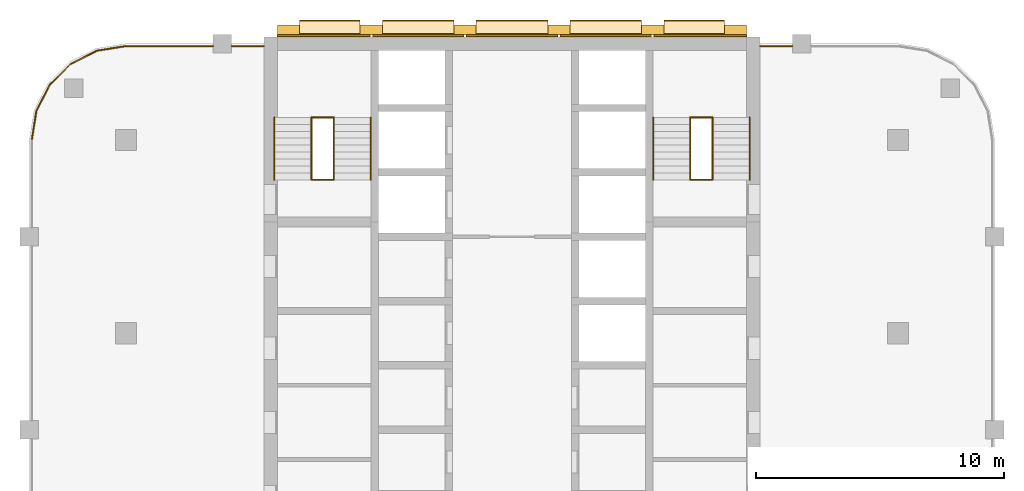
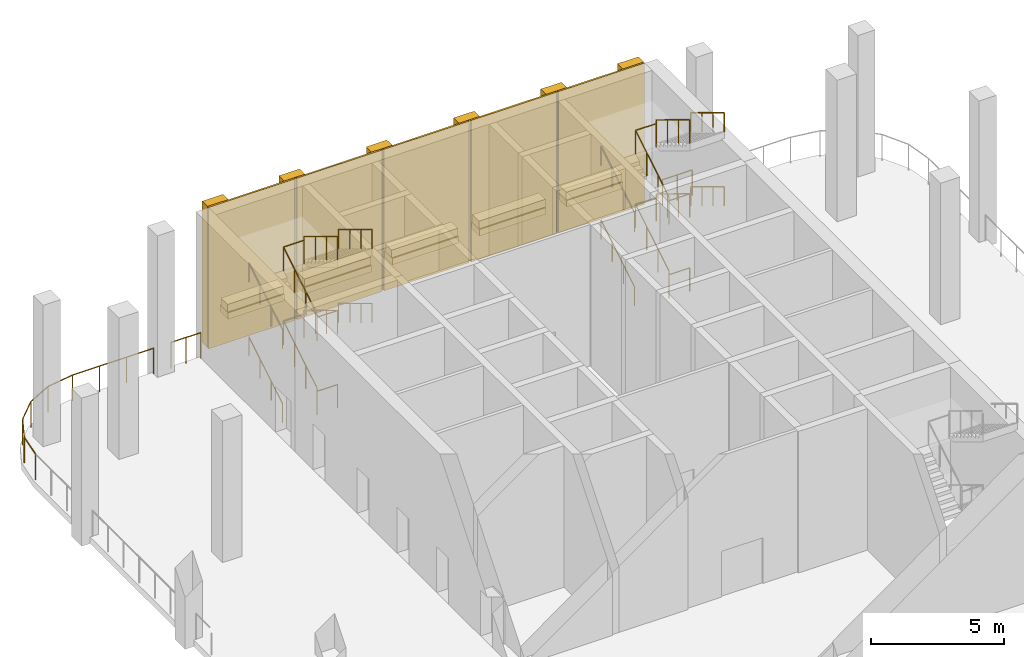
# One storey, part 9 of 10: 28 railings, 21 coverings, 2 elements without a shape of their own.
"""IFC4 building model written with IfcOpenShell, lengths in metres."""

import ifcopenshell
import ifcopenshell.guid

model = None  # the IFC model being written
_history = None  # IfcOwnerHistory: only IFC2X3 demands one
_inside = {}  # id of a spatial element -> (the spatial element, [elements in it])
_under = {}  # id of a project, library or spatial element -> (it, [spatial elements below it])
_declared = {}  # id of a project -> (the project, [libraries it declares])
_typed = {}  # id of a type object -> (the type object, [elements of that type])
_made_of = {}  # id of a material, layer set ... -> (it, [elements and type objects made of it])


def new_model(schema):
    """Start an empty IFC model of exactly this schema.

    Asked for "IFC4X3", IfcOpenShell would pick the latest addendum, in which some entities
    have other attributes; the version numbers below select the first issue.
    IFC2X3 requires an IfcOwnerHistory on every rooted entity: one is made here for all.
    """
    global model, _history
    if schema == "IFC4X3":
        model = ifcopenshell.file(schema_version=(4, 3, 0, 0))
    else:
        model = ifcopenshell.file(schema=schema)
    _inside.clear()
    _under.clear()
    _declared.clear()
    _typed.clear()
    _made_of.clear()
    _history = None
    if model.schema == "IFC2X3":
        org = make("IfcOrganization", Name="unknown")
        user = make(
            "IfcPersonAndOrganization",
            ThePerson=make("IfcPerson", FamilyName="unknown"),
            TheOrganization=org,
        )
        app = make(
            "IfcApplication",
            ApplicationDeveloper=org,
            Version="unknown",
            ApplicationFullName="unknown",
            ApplicationIdentifier="unknown",
        )
        _history = make(
            "IfcOwnerHistory",
            OwningUser=user,
            OwningApplication=app,
            ChangeAction="ADDED",
            CreationDate=0,
        )
    return model


def make(cls, **values):
    """One entity of the class cls with the attributes given. An attribute that is None is left unset."""
    return model.create_entity(
        cls, **{name: value for name, value in values.items() if value is not None}
    )


def rooted(cls, **values):
    """An entity with a GlobalId (a new one), such as an element, a storey or a relation."""
    return make(cls, GlobalId=ifcopenshell.guid.new(), OwnerHistory=_history, **values)


def si_unit(unit_type, name, prefix=None):
    """IfcSIUnit, for example si_unit("LENGTHUNIT", "METRE", prefix="MILLI")."""
    return make("IfcSIUnit", UnitType=unit_type, Prefix=prefix, Name=name)


def assignment(units):
    """IfcUnitAssignment: the units of a project."""
    return None if units is None else make("IfcUnitAssignment", Units=units)


def point(xyz):
    """IfcCartesianPoint."""
    return None if xyz is None else make("IfcCartesianPoint", Coordinates=xyz)


def direction(xyz):
    """IfcDirection."""
    return None if xyz is None else make("IfcDirection", DirectionRatios=xyz)


def frame(location, z_axis=None, x_axis=None):
    """IfcAxis2Placement3D, a coordinate frame: its origin and axes. An axis left out is left unset."""
    return make(
        "IfcAxis2Placement3D",
        Location=point(location),
        Axis=direction(z_axis),
        RefDirection=direction(x_axis),
    )


def frame_2d(location, x_axis=None):
    """IfcAxis2Placement2D, a coordinate frame in the plane: its origin and x axis."""
    return make(
        "IfcAxis2Placement2D", Location=point(location), RefDirection=direction(x_axis)
    )


def origin():
    """The frame at (0, 0, 0) with its axes left unset."""
    return frame((0.0, 0.0, 0.0))


def origin_2d():
    """The frame at (0, 0) in the plane with its x axis left unset."""
    return frame_2d((0.0, 0.0))


def place(relative_to, where):
    """IfcLocalPlacement: puts the frame where relative to a parent placement (None: the world)."""
    return make(
        "IfcLocalPlacement", PlacementRelTo=relative_to, RelativePlacement=where
    )


def context(
    kind, dimensions, precision=None, world=None, true_north=None, identifier=None
):
    """IfcGeometricRepresentationContext, for example the 3D "Model" context."""
    return make(
        "IfcGeometricRepresentationContext",
        ContextIdentifier=identifier,
        ContextType=kind,
        CoordinateSpaceDimension=dimensions,
        Precision=precision,
        WorldCoordinateSystem=world,
        TrueNorth=true_north,
    )


def subcontext(parent, identifier, kind, view, scale=None):
    """IfcGeometricRepresentationSubContext, for example "Body" below "Model"."""
    return make(
        "IfcGeometricRepresentationSubContext",
        ContextIdentifier=identifier,
        ContextType=kind,
        ParentContext=parent,
        TargetScale=scale,
        TargetView=view,
    )


def project(units=None, contexts=None):
    """IfcProject with its units and contexts."""
    return rooted(
        "IfcProject",
        Name="project",
        RepresentationContexts=contexts,
        UnitsInContext=assignment(units),
    )


def spatial(cls, under=None, at=None, **own):
    """A site, building, storey or space (cls), placed at a placement, below another one or the project."""
    s = rooted(cls, ObjectPlacement=at, **own)
    if under is not None:
        _under.setdefault(under.id(), (under, []))[1].append(s)
    return s


def profile(cls, at=None, kind="AREA", **sizes):
    """A parametric profile (cls). Its sizes go by their IFC names, for example OverallWidth=200.0."""
    return make(cls, ProfileType=kind, Position=at, **sizes)


def rectangle(**sizes):
    """IfcRectangleProfileDef."""
    return profile("IfcRectangleProfileDef", **sizes)


def circle(**sizes):
    """IfcCircleProfileDef."""
    return profile("IfcCircleProfileDef", **sizes)


def extrude(swept, where, along, depth):
    """IfcExtrudedAreaSolid: the profile swept, set in the frame where, extruded along a direction by depth."""
    return make(
        "IfcExtrudedAreaSolid",
        SweptArea=swept,
        Position=where,
        ExtrudedDirection=direction(along),
        Depth=depth,
    )


def shape(context_of_items, identifier, shape_type, items):
    """IfcShapeRepresentation: the items that make up one representation, for example the "Body"."""
    return make(
        "IfcShapeRepresentation",
        ContextOfItems=context_of_items,
        RepresentationIdentifier=identifier,
        RepresentationType=shape_type,
        Items=items,
    )


def material(Name=None, Category=None):
    """IfcMaterial."""
    return make("IfcMaterial", Name=Name, Category=Category)


def layer(
    of_material, thickness, ventilated=None, Name=None, Category=None, Priority=None
):
    """IfcMaterialLayer: one layer of a wall or slab, of a material (None: an air gap)."""
    return make(
        "IfcMaterialLayer",
        Material=of_material,
        LayerThickness=thickness,
        IsVentilated=ventilated,
        Name=Name,
        Category=Category,
        Priority=Priority,
    )


def layer_set(layers, Name=None):
    """IfcMaterialLayerSet."""
    return make("IfcMaterialLayerSet", MaterialLayers=layers, LayerSetName=Name)


def made_of(thing, what):
    """Note that an element or type object is made of a material, layer set ...; save() writes the relation."""
    if what is not None:
        _made_of.setdefault(what.id(), (what, []))[1].append(thing)
    return thing


def type_object(cls, material=None, **own):
    """A type object (cls), such as IfcWallType, which elements share."""
    return made_of(rooted(cls, **own), material)


def element(
    cls,
    number,
    at=None,
    inside=None,
    cuts=None,
    type_object=None,
    material=None,
    context=None,
    identifier="Body",
    shape_type=None,
    held_by="IfcProductDefinitionShape",
    body=None,
    shapes=None,
    **own,
):
    """One element of the class cls, such as IfcWall. Its Tag is "e" and its number.

    at: its placement. inside: the storey or other place that contains it. cuts: it is an
    opening in that element (IfcRelVoidsElement). A single representation is given by context,
    identifier, shape_type and body (its items); several are given by shapes. held_by: the class
    of the entity that holds the representations. save() writes the other relations.
    """
    e = rooted(cls, Tag="e%d" % number, ObjectPlacement=at, **own)
    if body is not None:
        shapes = [shape(context, identifier, shape_type, body)]
    if shapes is not None:
        e.Representation = make(held_by, Representations=shapes)
    if inside is not None:
        _inside.setdefault(inside.id(), (inside, []))[1].append(e)
    if cuts is not None:
        rooted(
            "IfcRelVoidsElement", RelatingBuildingElement=cuts, RelatedOpeningElement=e
        )
    if type_object is not None:
        _typed.setdefault(type_object.id(), (type_object, []))[1].append(e)
    return made_of(e, material)


def aggregate(whole, parts):
    """IfcRelAggregates: a whole, such as a stair, and the parts it consists of."""
    return rooted("IfcRelAggregates", RelatingObject=whole, RelatedObjects=parts)


def save(model, path):
    """Write the relations noted so far, then the file.

    IfcRelAggregates (storeys below a building ...), IfcRelContainedInSpatialStructure (elements
    in a storey), IfcRelDefinesByType, IfcRelAssociatesMaterial and IfcRelDeclares: one each for
    every whole, place, type object, material and project.
    """
    for whole, parts in _under.values():
        aggregate(whole, parts)
    for where, things in _inside.values():
        rooted(
            "IfcRelContainedInSpatialStructure",
            RelatedElements=things,
            RelatingStructure=where,
        )
    for kind, things in _typed.values():
        rooted("IfcRelDefinesByType", RelatedObjects=things, RelatingType=kind)
    for what, things in _made_of.values():
        rooted("IfcRelAssociatesMaterial", RelatedObjects=things, RelatingMaterial=what)
    for by, libraries in _declared.values():
        rooted("IfcRelDeclares", RelatingContext=by, RelatedDefinitions=libraries)
    model.write(path)


model = new_model("IFC4")

# Units and contexts
model_context = context("Model", 3, precision=1e-05, world=origin(), true_north=direction((0.0, 1.0)))
body_context = subcontext(model_context, "Body", "Model", "MODEL_VIEW")
ifc_project = project(units=[si_unit("LENGTHUNIT", "METRE"), si_unit("AREAUNIT", "SQUARE_METRE"), si_unit("VOLUMEUNIT", "CUBIC_METRE"), si_unit("PLANEANGLEUNIT", "RADIAN"), si_unit("MASSUNIT", "GRAM", prefix="KILO")], contexts=[model_context])

# Site, building, storey
site_placement = place(None, origin())
site = spatial("IfcSite", under=ifc_project, at=site_placement, CompositionType="ELEMENT")
building_placement = place(site_placement, origin())
building = spatial("IfcBuilding", under=site, at=building_placement, Name="Ludao Terraces", CompositionType="ELEMENT")
storey_placement = place(building_placement, frame((0.0, 0.0, 172.39990234375)))
storey = spatial("IfcBuildingStorey", under=building, at=storey_placement, Name="L47", CompositionType="ELEMENT", Elevation=172.39990234375)

# Coverings
ifc_material_1 = material(Name="Granite cladding", Category="masonry")
ifc_layer_1 = layer(ifc_material_1, 0.39990234375)
ifc_layer_set_1 = layer_set([ifc_layer_1], Name="ENV Core pilaster stone 400")
covering_type_1 = type_object("IfcCoveringType", Name="ENV Core pilaster stone 400", PredefinedType="CLADDING", material=ifc_layer_set_1)
for number, where, z_axis, x_axis, name in (
    (1, (75.97509765625, 85.054931640625, 0.0), (0.0, 0.0, 1.0), (1.0, 0.0, 0.0), "CC-L47-PIL1"),
    (2, (79.31494140625, 85.054931640625, 0.0), (0.0, 0.0, 1.0), (1.0, 0.0, 0.0), "CC-L47-PIL2"),
    (3, (83.10498046875, 85.054931640625, 0.0), (0.0, 0.0, 1.0), (1.0, 0.0, 0.0), "CC-L47-PIL3"),
    (4, (86.89501953125, 85.054931640625, 0.0), (0.0, 0.0, 1.0), (1.0, 0.0, 0.0), "CC-L47-PIL4"),
    (5, (90.68505859375, 85.054931640625, 0.0), (0.0, 0.0, 1.0), (1.0, 0.0, 0.0), "CC-L47-PIL5"),
    (6, (94.02490234375, 85.054931640625, 0.0), (0.0, 0.0, 1.0), (1.0, 0.0, 0.0), "CC-L47-PIL6"),
):
    element("IfcCovering", number, at=place(storey_placement, frame(where, z_axis=z_axis, x_axis=x_axis)), inside=storey, type_object=covering_type_1, Name=name, PredefinedType="CLADDING", context=body_context, shape_type="SweptSolid", body=[
        extrude(rectangle(XDim=0.89990234375, YDim=0.39990234375, at=origin_2d()), origin(), (0.0, 0.0, 1.0), 6.5),
    ])
ifc_layer_2 = layer(ifc_material_1, 0.60009765625)
ifc_layer_set_2 = layer_set([ifc_layer_2], Name="ENV Core planting shelf stone 600")
covering_type_2 = type_object("IfcCoveringType", Name="ENV Core planting shelf stone 600", PredefinedType="CLADDING", material=ifc_layer_set_2)
covering_1_placement = place(storey_placement, frame((77.64501953125, 85.155029296875, 1.0), z_axis=(0.0, 0.0, 1.0), x_axis=(1.0, 0.0, 0.0)))
element("IfcCovering", 7, at=covering_1_placement, inside=storey, type_object=covering_type_2, Name="CC-L47-SHELF1", PredefinedType="CLADDING", context=body_context, shape_type="SweptSolid", body=[
    extrude(rectangle(XDim=2.43994140625, YDim=0.60009765625, at=origin_2d()), origin(), (0.0, 0.0, 1.0), 0.300048828125),
])
for number, where, z_axis, x_axis, name in (
    (8, (81.2099609375, 85.155029296875, 1.0), (0.0, 0.0, 1.0), (1.0, 0.0, 0.0), "CC-L47-SHELF2"),
    (9, (85.0, 85.155029296875, 1.0), (0.0, 0.0, 1.0), (1.0, 0.0, 0.0), "CC-L47-SHELF3"),
    (10, (88.7900390625, 85.155029296875, 1.0), (0.0, 0.0, 1.0), (1.0, 0.0, 0.0), "CC-L47-SHELF4"),
):
    element("IfcCovering", number, at=place(storey_placement, frame(where, z_axis=z_axis, x_axis=x_axis)), inside=storey, type_object=covering_type_2, Name=name, PredefinedType="CLADDING", context=body_context, shape_type="SweptSolid", body=[
        extrude(rectangle(XDim=2.889892578125, YDim=0.60009765625, at=origin_2d()), origin(), (0.0, 0.0, 1.0), 0.300048828125),
    ])
covering_2_placement = place(storey_placement, frame((92.35498046875, 85.155029296875, 1.0), z_axis=(0.0, 0.0, 1.0), x_axis=(1.0, 0.0, 0.0)))
element("IfcCovering", 11, at=covering_2_placement, inside=storey, type_object=covering_type_2, Name="CC-L47-SHELF5", PredefinedType="CLADDING", context=body_context, shape_type="SweptSolid", body=[
    extrude(rectangle(XDim=2.43994140625, YDim=0.60009765625, at=origin_2d()), origin(), (0.0, 0.0, 1.0), 0.300048828125),
])
ifc_layer_3 = layer(ifc_material_1, 0.080078125)
ifc_layer_set_3 = layer_set([ifc_layer_3], Name="ENV Core stone cladding panel 80")
covering_type_3 = type_object("IfcCoveringType", Name="ENV Core stone cladding panel 80", PredefinedType="CLADDING", material=ifc_layer_set_3)
covering_3_placement = place(storey_placement, frame((77.39501953125, 84.81494140625, 0.0), z_axis=(0.0, 0.0, 1.0), x_axis=(1.0, 0.0, 0.0)))
element("IfcCovering", 12, at=covering_3_placement, inside=storey, type_object=covering_type_3, Name="CC-L47-CORE1", PredefinedType="CLADDING", context=body_context, shape_type="SweptSolid", body=[
    extrude(rectangle(XDim=3.739990234375, YDim=0.080078125, at=origin_2d()), origin(), (0.0, 0.0, 1.0), 6.5),
])
for number, where, z_axis, x_axis, name in (
    (13, (81.2099609375, 84.81494140625, 0.0), (0.0, 0.0, 1.0), (1.0, 0.0, 0.0), "CC-L47-CORE2"),
    (14, (85.0, 84.81494140625, 0.0), (0.0, 0.0, 1.0), (1.0, 0.0, 0.0), "CC-L47-CORE3"),
    (15, (88.7900390625, 84.81494140625, 0.0), (0.0, 0.0, 1.0), (1.0, 0.0, 0.0), "CC-L47-CORE4"),
):
    element("IfcCovering", number, at=place(storey_placement, frame(where, z_axis=z_axis, x_axis=x_axis)), inside=storey, type_object=covering_type_3, Name=name, PredefinedType="CLADDING", context=body_context, shape_type="SweptSolid", body=[
        extrude(rectangle(XDim=3.68994140625, YDim=0.080078125, at=origin_2d()), origin(), (0.0, 0.0, 1.0), 6.5),
    ])
covering_4_placement = place(storey_placement, frame((92.60498046875, 84.81494140625, 0.0), z_axis=(0.0, 0.0, 1.0), x_axis=(1.0, 0.0, 0.0)))
element("IfcCovering", 16, at=covering_4_placement, inside=storey, type_object=covering_type_3, Name="CC-L47-CORE5", PredefinedType="CLADDING", context=body_context, shape_type="SweptSolid", body=[
    extrude(rectangle(XDim=3.739990234375, YDim=0.080078125, at=origin_2d()), origin(), (0.0, 0.0, 1.0), 6.5),
])

# Railings
ifc_material_2 = material(Name="Steel Q235", Category="steel")
railing_type_1 = type_object("IfcRailingType", Name="ENV Open-edge guard 1200", PredefinedType="GUARDRAIL", material=ifc_material_2)
railing_1_placement = place(storey_placement, frame((69.39990234375, 84.39990234375, 0.0)))
element("IfcRailing", 17, at=railing_1_placement, inside=storey, type_object=railing_type_1, Name="Guard L47 N1", PredefinedType="GUARDRAIL", context=body_context, shape_type="SweptSolid", body=[
    extrude(circle(Radius=0.02392578125, at=origin_2d()), frame((0.0, 0.0, 1.17578125), z_axis=(1.0, 0.0, 0.0), x_axis=(0.0, 1.0, 0.0)), (0.0, 0.0, 1.0), 3.525146484375),
    extrude(circle(Radius=0.02099609375, at=origin_2d()), origin(), (0.0, 0.0, 1.0), 1.15185546875),
    extrude(circle(Radius=0.02099609375, at=origin_2d()), frame((1.175048828125, 0.0, 0.0)), (0.0, 0.0, 1.0), 1.15185546875),
    extrude(circle(Radius=0.02099609375, at=origin_2d()), frame((2.35009765625, 0.0, 0.0)), (0.0, 0.0, 1.0), 1.15185546875),
    extrude(circle(Radius=0.02099609375, at=origin_2d()), frame((3.525146484375, 0.0, 0.0)), (0.0, 0.0, 1.0), 1.15185546875),
])
for number, where, name in (
    (18, (73.675048828125, 84.39990234375, 0.0), "Guard L47 N2"),
    (19, (95.02490234375, 84.39990234375, 0.0), "Guard L47 N3"),
):
    element("IfcRailing", number, at=place(storey_placement, frame(where)), inside=storey, type_object=railing_type_1, Name=name, PredefinedType="GUARDRAIL", context=body_context, shape_type="SweptSolid", body=[
        extrude(circle(Radius=0.02392578125, at=origin_2d()), frame((0.0, 0.0, 1.17578125), z_axis=(1.0, 0.0, 0.0), x_axis=(0.0, 1.0, 0.0)), (0.0, 0.0, 1.0), 1.300048828125),
        extrude(circle(Radius=0.02099609375, at=origin_2d()), origin(), (0.0, 0.0, 1.0), 1.15185546875),
        extrude(circle(Radius=0.02099609375, at=origin_2d()), frame((0.64990234375, 0.0, 0.0)), (0.0, 0.0, 1.0), 1.15185546875),
        extrude(circle(Radius=0.02099609375, at=origin_2d()), frame((1.300048828125, 0.0, 0.0)), (0.0, 0.0, 1.0), 1.15185546875),
    ])
railing_2_placement = place(storey_placement, frame((69.39990234375, 84.39990234375, 0.0)))
element("IfcRailing", 20, at=railing_2_placement, inside=storey, type_object=railing_type_1, Name="Guard L47 NW", PredefinedType="GUARDRAIL", context=body_context, shape_type="SweptSolid", body=[
    extrude(circle(Radius=0.02392578125, at=origin_2d()), frame((0.0, 0.0, 1.17578125), z_axis=(-0.987709617879, -0.156300066377, 0.0), x_axis=(0.156300066377, -0.987709617879, 0.0)), (0.0, 0.0, 1.0), 1.188720703125),
    extrude(circle(Radius=0.02392578125, at=origin_2d()), frame((-1.174072265625, -0.185791015625, 1.17578125), z_axis=(-0.890992479772, -0.454018062405, 0.0), x_axis=(0.454018062405, -0.890992479772, 0.0)), (0.0, 0.0, 1.0), 1.18896484375),
    extrude(circle(Radius=0.02392578125, at=origin_2d()), frame((-2.2333984375, -0.7255859375, 1.17578125), z_axis=(-0.707106781187, -0.707106781187, 0.0), x_axis=(0.707106781187, -0.707106781187, 0.0)), (0.0, 0.0, 1.0), 1.189208984375),
    extrude(circle(Radius=0.02392578125, at=origin_2d()), frame((-3.07421875, -1.56640625, 1.17578125), z_axis=(-0.454018062405, -0.890992479772, 0.0), x_axis=(0.890992479772, -0.454018062405, 0.0)), (0.0, 0.0, 1.0), 1.18896484375),
    extrude(circle(Radius=0.02392578125, at=origin_2d()), frame((-3.614013671875, -2.625732421875, 1.17578125), z_axis=(-0.156300066377, -0.987709617879, 0.0), x_axis=(0.987709617879, -0.156300066377, 0.0)), (0.0, 0.0, 1.0), 1.188720703125),
    extrude(circle(Radius=0.02099609375, at=origin_2d()), origin(), (0.0, 0.0, 1.0), 1.15185546875),
    extrude(circle(Radius=0.02099609375, at=origin_2d()), frame((-1.174072265625, -0.185791015625, 0.0)), (0.0, 0.0, 1.0), 1.15185546875),
    extrude(circle(Radius=0.02099609375, at=origin_2d()), frame((-2.2333984375, -0.7255859375, 0.0)), (0.0, 0.0, 1.0), 1.15185546875),
    extrude(circle(Radius=0.02099609375, at=origin_2d()), frame((-3.07421875, -1.56640625, 0.0)), (0.0, 0.0, 1.0), 1.15185546875),
    extrude(circle(Radius=0.02099609375, at=origin_2d()), frame((-3.614013671875, -2.625732421875, 0.0)), (0.0, 0.0, 1.0), 1.15185546875),
    extrude(circle(Radius=0.02099609375, at=origin_2d()), frame((-3.7998046875, -3.7998046875, 0.0)), (0.0, 0.0, 1.0), 1.15185546875),
])

# Coverings
ifc_material_3 = material(Name="Planting")
ifc_layer_4 = layer(ifc_material_3, 0.5)
ifc_layer_set_4 = layer_set([ifc_layer_4], Name="ENV Shelf planting bed 350")
covering_type_4 = type_object("IfcCoveringType", Name="ENV Shelf planting bed 350", PredefinedType="USERDEFINED", material=ifc_layer_set_4)
covering_5_placement = place(storey_placement, frame((77.64501953125, 85.155029296875, 1.300048828125), z_axis=(0.0, 0.0, 1.0), x_axis=(1.0, 0.0, 0.0)))
element("IfcCovering", 21, at=covering_5_placement, inside=storey, type_object=covering_type_4, Name="Shelf planting bed L47 1", ObjectType="PLANTING", PredefinedType="USERDEFINED", context=body_context, shape_type="SweptSolid", body=[
    extrude(rectangle(XDim=2.43994140625, YDim=0.5, at=origin_2d()), origin(), (0.0, 0.0, 1.0), 0.35009765625),
])
for number, where, z_axis, x_axis, name in (
    (22, (81.2099609375, 85.155029296875, 1.300048828125), (0.0, 0.0, 1.0), (1.0, 0.0, 0.0), "Shelf planting bed L47 2"),
    (23, (85.0, 85.155029296875, 1.300048828125), (0.0, 0.0, 1.0), (1.0, 0.0, 0.0), "Shelf planting bed L47 3"),
    (24, (88.7900390625, 85.155029296875, 1.300048828125), (0.0, 0.0, 1.0), (1.0, 0.0, 0.0), "Shelf planting bed L47 4"),
):
    element("IfcCovering", number, at=place(storey_placement, frame(where, z_axis=z_axis, x_axis=x_axis)), inside=storey, type_object=covering_type_4, Name=name, ObjectType="PLANTING", PredefinedType="USERDEFINED", context=body_context, shape_type="SweptSolid", body=[
        extrude(rectangle(XDim=2.889892578125, YDim=0.5, at=origin_2d()), origin(), (0.0, 0.0, 1.0), 0.35009765625),
    ])
covering_6_placement = place(storey_placement, frame((92.35498046875, 85.155029296875, 1.300048828125), z_axis=(0.0, 0.0, 1.0), x_axis=(1.0, 0.0, 0.0)))
element("IfcCovering", 25, at=covering_6_placement, inside=storey, type_object=covering_type_4, Name="Shelf planting bed L47 5", ObjectType="PLANTING", PredefinedType="USERDEFINED", context=body_context, shape_type="SweptSolid", body=[
    extrude(rectangle(XDim=2.43994140625, YDim=0.5, at=origin_2d()), origin(), (0.0, 0.0, 1.0), 0.35009765625),
])

# Stair, railings
ifc_material_4 = material(Name="Concrete C40", Category="concrete")
stair_type = type_object("IfcStairType", Name="INT Stair", PredefinedType="HALF_TURN_STAIR", material=ifc_material_4)
stair_1_placement = place(storey_placement, origin())
stair_1 = element("IfcStair", 26, at=stair_1_placement, inside=storey, type_object=stair_type, Name="EXIT STAIR 1", PredefinedType="HALF_TURN_STAIR")
ifc_material_5 = material(Name="Stainless steel 304", Category="steel")
railing_type_2 = type_object("IfcRailingType", Name="INT Stair guard 1100", PredefinedType="GUARDRAIL", material=ifc_material_5)
railing_3_placement = place(storey_placement, frame((76.89990234375, 79.0, 0.170166015625)))
railing_3 = element("IfcRailing", 27, at=railing_3_placement, type_object=railing_type_2, Name="ST-L47-S1-R1G", PredefinedType="GUARDRAIL", context=body_context, shape_type="SweptSolid", body=[
    extrude(circle(Radius=0.02392578125, at=origin_2d()), frame((0.0, 0.0, 1.076171875), z_axis=(0.0, 0.85478489116, 0.518982456201), x_axis=(-1.0, 0.0, 0.0)), (0.0, 0.0, 1.0), 2.9482421875),
    extrude(circle(Radius=0.02099609375, at=origin_2d()), origin(), (0.0, 0.0, 1.0), 1.052001953125),
    extrude(circle(Radius=0.02099609375, at=origin_2d()), frame((0.0, 0.840087890625, 0.510009765625)), (0.0, 0.0, 1.0), 1.052001953125),
    extrude(circle(Radius=0.02099609375, at=origin_2d()), frame((0.0, 1.679931640625, 1.02001953125)), (0.0, 0.0, 1.0), 1.052001953125),
    extrude(circle(Radius=0.02099609375, at=origin_2d()), frame((0.0, 2.52001953125, 1.530029296875)), (0.0, 0.0, 1.0), 1.052001953125),
])
railing_4_placement = place(storey_placement, frame((77.800048828125, 81.52001953125, 1.8701171875)))
railing_4 = element("IfcRailing", 28, at=railing_4_placement, type_object=railing_type_2, Name="ST-L47-S1-R2G", PredefinedType="GUARDRAIL", context=body_context, shape_type="SweptSolid", body=[
    extrude(circle(Radius=0.02392578125, at=origin_2d()), frame((0.0, 0.0, 1.076171875), z_axis=(0.0, -0.85478489116, 0.518982456201), x_axis=(1.0, 0.0, 0.0)), (0.0, 0.0, 1.0), 2.9482421875),
    extrude(circle(Radius=0.02099609375, at=origin_2d()), origin(), (0.0, 0.0, 1.0), 1.052001953125),
    extrude(circle(Radius=0.02099609375, at=origin_2d()), frame((0.0, -0.840087890625, 0.510009765625)), (0.0, 0.0, 1.0), 1.052001953125),
    extrude(circle(Radius=0.02099609375, at=origin_2d()), frame((0.0, -1.679931640625, 1.02001953125)), (0.0, 0.0, 1.0), 1.052001953125),
    extrude(circle(Radius=0.02099609375, at=origin_2d()), frame((0.0, -2.52001953125, 1.530029296875)), (0.0, 0.0, 1.0), 1.052001953125),
])
railing_5_placement = place(storey_placement, frame((76.89990234375, 79.0, 3.570068359375)))
railing_5 = element("IfcRailing", 29, at=railing_5_placement, type_object=railing_type_2, Name="ST-L47-S1-R3G", PredefinedType="GUARDRAIL", context=body_context, shape_type="SweptSolid", body=[
    extrude(circle(Radius=0.02392578125, at=origin_2d()), frame((0.0, 0.0, 1.076171875), z_axis=(0.0, 0.85478489116, 0.518982456201), x_axis=(-1.0, 0.0, 0.0)), (0.0, 0.0, 1.0), 2.9482421875),
    extrude(circle(Radius=0.02099609375, at=origin_2d()), origin(), (0.0, 0.0, 1.0), 1.052001953125),
    extrude(circle(Radius=0.02099609375, at=origin_2d()), frame((0.0, 0.840087890625, 0.510009765625)), (0.0, 0.0, 1.0), 1.052001953125),
    extrude(circle(Radius=0.02099609375, at=origin_2d()), frame((0.0, 1.679931640625, 1.02001953125)), (0.0, 0.0, 1.0), 1.052001953125),
    extrude(circle(Radius=0.02099609375, at=origin_2d()), frame((0.0, 2.52001953125, 1.530029296875)), (0.0, 0.0, 1.0), 1.052001953125),
])
railing_6_placement = place(storey_placement, frame((77.800048828125, 81.52001953125, 5.27001953125)))
railing_6 = element("IfcRailing", 30, at=railing_6_placement, type_object=railing_type_2, Name="ST-L47-S1-R4G", PredefinedType="GUARDRAIL", context=body_context, shape_type="SweptSolid", body=[
    extrude(circle(Radius=0.02392578125, at=origin_2d()), frame((0.0, 0.0, 1.076171875), z_axis=(0.0, -0.85478489116, 0.518982456201), x_axis=(1.0, 0.0, 0.0)), (0.0, 0.0, 1.0), 2.9482421875),
    extrude(circle(Radius=0.02099609375, at=origin_2d()), origin(), (0.0, 0.0, 1.0), 1.052001953125),
    extrude(circle(Radius=0.02099609375, at=origin_2d()), frame((0.0, -0.840087890625, 0.510009765625)), (0.0, 0.0, 1.0), 1.052001953125),
    extrude(circle(Radius=0.02099609375, at=origin_2d()), frame((0.0, -1.679931640625, 1.02001953125)), (0.0, 0.0, 1.0), 1.052001953125),
    extrude(circle(Radius=0.02099609375, at=origin_2d()), frame((0.0, -2.52001953125, 1.530029296875)), (0.0, 0.0, 1.0), 1.052001953125),
])
railing_7_placement = place(storey_placement, frame((76.89990234375, 81.52001953125, 1.7001953125)))
railing_7 = element("IfcRailing", 31, at=railing_7_placement, type_object=railing_type_2, Name="ST-L47-S1-E1G", PredefinedType="GUARDRAIL", context=body_context, shape_type="SweptSolid", body=[
    extrude(circle(Radius=0.02392578125, at=origin_2d()), frame((0.0, 0.0, 1.076171875), z_axis=(1.0, 0.0, 0.0), x_axis=(0.0, 1.0, 0.0)), (0.0, 0.0, 1.0), 0.900146484375),
    extrude(circle(Radius=0.02099609375, at=origin_2d()), origin(), (0.0, 0.0, 1.0), 1.052001953125),
    extrude(circle(Radius=0.02099609375, at=origin_2d()), frame((0.900146484375, 0.0, 0.0)), (0.0, 0.0, 1.0), 1.052001953125),
])
railing_8_placement = place(storey_placement, frame((76.89990234375, 79.0, 3.400146484375)))
railing_8 = element("IfcRailing", 32, at=railing_8_placement, type_object=railing_type_2, Name="ST-L47-S1-E2G", PredefinedType="GUARDRAIL", context=body_context, shape_type="SweptSolid", body=[
    extrude(circle(Radius=0.02392578125, at=origin_2d()), frame((0.0, 0.0, 1.076171875), z_axis=(1.0, 0.0, 0.0), x_axis=(0.0, 1.0, 0.0)), (0.0, 0.0, 1.0), 0.900146484375),
    extrude(circle(Radius=0.02099609375, at=origin_2d()), origin(), (0.0, 0.0, 1.0), 1.052001953125),
    extrude(circle(Radius=0.02099609375, at=origin_2d()), frame((0.900146484375, 0.0, 0.0)), (0.0, 0.0, 1.0), 1.052001953125),
])
railing_9_placement = place(storey_placement, frame((76.89990234375, 81.52001953125, 5.10009765625)))
railing_9 = element("IfcRailing", 33, at=railing_9_placement, type_object=railing_type_2, Name="ST-L47-S1-E3G", PredefinedType="GUARDRAIL", context=body_context, shape_type="SweptSolid", body=[
    extrude(circle(Radius=0.02392578125, at=origin_2d()), frame((0.0, 0.0, 1.076171875), z_axis=(1.0, 0.0, 0.0), x_axis=(0.0, 1.0, 0.0)), (0.0, 0.0, 1.0), 0.900146484375),
    extrude(circle(Radius=0.02099609375, at=origin_2d()), origin(), (0.0, 0.0, 1.0), 1.052001953125),
    extrude(circle(Radius=0.02099609375, at=origin_2d()), frame((0.900146484375, 0.0, 0.0)), (0.0, 0.0, 1.0), 1.052001953125),
])
railing_10_placement = place(storey_placement, frame((76.89990234375, 79.0, 0.0)))
railing_10 = element("IfcRailing", 34, at=railing_10_placement, type_object=railing_type_2, Name="ST-L47-S1-E4G", PredefinedType="GUARDRAIL", context=body_context, shape_type="SweptSolid", body=[
    extrude(circle(Radius=0.02392578125, at=origin_2d()), frame((0.0, 0.0, 1.076171875), z_axis=(1.0, 0.0, 0.0), x_axis=(0.0, 1.0, 0.0)), (0.0, 0.0, 1.0), 0.900146484375),
    extrude(circle(Radius=0.02099609375, at=origin_2d()), origin(), (0.0, 0.0, 1.0), 1.052001953125),
    extrude(circle(Radius=0.02099609375, at=origin_2d()), frame((0.900146484375, 0.0, 0.0)), (0.0, 0.0, 1.0), 1.052001953125),
])

stair_2_placement = place(storey_placement, origin())
stair_2 = element("IfcStair", 35, at=stair_2_placement, inside=storey, type_object=stair_type, Name="EXIT STAIR 2", PredefinedType="HALF_TURN_STAIR")
railing_11_placement = place(storey_placement, frame((92.199951171875, 79.0, 0.170166015625)))
railing_11 = element("IfcRailing", 36, at=railing_11_placement, type_object=railing_type_2, Name="ST-L47-S2-R1G", PredefinedType="GUARDRAIL", context=body_context, shape_type="SweptSolid", body=[
    extrude(circle(Radius=0.02392578125, at=origin_2d()), frame((0.0, 0.0, 1.076171875), z_axis=(0.0, 0.85478489116, 0.518982456201), x_axis=(-1.0, 0.0, 0.0)), (0.0, 0.0, 1.0), 2.9482421875),
    extrude(circle(Radius=0.02099609375, at=origin_2d()), origin(), (0.0, 0.0, 1.0), 1.052001953125),
    extrude(circle(Radius=0.02099609375, at=origin_2d()), frame((0.0, 0.840087890625, 0.510009765625)), (0.0, 0.0, 1.0), 1.052001953125),
    extrude(circle(Radius=0.02099609375, at=origin_2d()), frame((0.0, 1.679931640625, 1.02001953125)), (0.0, 0.0, 1.0), 1.052001953125),
    extrude(circle(Radius=0.02099609375, at=origin_2d()), frame((0.0, 2.52001953125, 1.530029296875)), (0.0, 0.0, 1.0), 1.052001953125),
])
railing_12_placement = place(storey_placement, frame((93.10009765625, 81.52001953125, 1.8701171875)))
railing_12 = element("IfcRailing", 37, at=railing_12_placement, type_object=railing_type_2, Name="ST-L47-S2-R2G", PredefinedType="GUARDRAIL", context=body_context, shape_type="SweptSolid", body=[
    extrude(circle(Radius=0.02392578125, at=origin_2d()), frame((0.0, 0.0, 1.076171875), z_axis=(0.0, -0.85478489116, 0.518982456201), x_axis=(1.0, 0.0, 0.0)), (0.0, 0.0, 1.0), 2.9482421875),
    extrude(circle(Radius=0.02099609375, at=origin_2d()), origin(), (0.0, 0.0, 1.0), 1.052001953125),
    extrude(circle(Radius=0.02099609375, at=origin_2d()), frame((0.0, -0.840087890625, 0.510009765625)), (0.0, 0.0, 1.0), 1.052001953125),
    extrude(circle(Radius=0.02099609375, at=origin_2d()), frame((0.0, -1.679931640625, 1.02001953125)), (0.0, 0.0, 1.0), 1.052001953125),
    extrude(circle(Radius=0.02099609375, at=origin_2d()), frame((0.0, -2.52001953125, 1.530029296875)), (0.0, 0.0, 1.0), 1.052001953125),
])
railing_13_placement = place(storey_placement, frame((92.199951171875, 79.0, 3.570068359375)))
railing_13 = element("IfcRailing", 38, at=railing_13_placement, type_object=railing_type_2, Name="ST-L47-S2-R3G", PredefinedType="GUARDRAIL", context=body_context, shape_type="SweptSolid", body=[
    extrude(circle(Radius=0.02392578125, at=origin_2d()), frame((0.0, 0.0, 1.076171875), z_axis=(0.0, 0.85478489116, 0.518982456201), x_axis=(-1.0, 0.0, 0.0)), (0.0, 0.0, 1.0), 2.9482421875),
    extrude(circle(Radius=0.02099609375, at=origin_2d()), origin(), (0.0, 0.0, 1.0), 1.052001953125),
    extrude(circle(Radius=0.02099609375, at=origin_2d()), frame((0.0, 0.840087890625, 0.510009765625)), (0.0, 0.0, 1.0), 1.052001953125),
    extrude(circle(Radius=0.02099609375, at=origin_2d()), frame((0.0, 1.679931640625, 1.02001953125)), (0.0, 0.0, 1.0), 1.052001953125),
    extrude(circle(Radius=0.02099609375, at=origin_2d()), frame((0.0, 2.52001953125, 1.530029296875)), (0.0, 0.0, 1.0), 1.052001953125),
])
railing_14_placement = place(storey_placement, frame((93.10009765625, 81.52001953125, 5.27001953125)))
railing_14 = element("IfcRailing", 39, at=railing_14_placement, type_object=railing_type_2, Name="ST-L47-S2-R4G", PredefinedType="GUARDRAIL", context=body_context, shape_type="SweptSolid", body=[
    extrude(circle(Radius=0.02392578125, at=origin_2d()), frame((0.0, 0.0, 1.076171875), z_axis=(0.0, -0.85478489116, 0.518982456201), x_axis=(1.0, 0.0, 0.0)), (0.0, 0.0, 1.0), 2.9482421875),
    extrude(circle(Radius=0.02099609375, at=origin_2d()), origin(), (0.0, 0.0, 1.0), 1.052001953125),
    extrude(circle(Radius=0.02099609375, at=origin_2d()), frame((0.0, -0.840087890625, 0.510009765625)), (0.0, 0.0, 1.0), 1.052001953125),
    extrude(circle(Radius=0.02099609375, at=origin_2d()), frame((0.0, -1.679931640625, 1.02001953125)), (0.0, 0.0, 1.0), 1.052001953125),
    extrude(circle(Radius=0.02099609375, at=origin_2d()), frame((0.0, -2.52001953125, 1.530029296875)), (0.0, 0.0, 1.0), 1.052001953125),
])
railing_15_placement = place(storey_placement, frame((92.199951171875, 81.52001953125, 1.7001953125)))
railing_15 = element("IfcRailing", 40, at=railing_15_placement, type_object=railing_type_2, Name="ST-L47-S2-E1G", PredefinedType="GUARDRAIL", context=body_context, shape_type="SweptSolid", body=[
    extrude(circle(Radius=0.02392578125, at=origin_2d()), frame((0.0, 0.0, 1.076171875), z_axis=(1.0, 0.0, 0.0), x_axis=(0.0, 1.0, 0.0)), (0.0, 0.0, 1.0), 0.900146484375),
    extrude(circle(Radius=0.02099609375, at=origin_2d()), origin(), (0.0, 0.0, 1.0), 1.052001953125),
    extrude(circle(Radius=0.02099609375, at=origin_2d()), frame((0.900146484375, 0.0, 0.0)), (0.0, 0.0, 1.0), 1.052001953125),
])
railing_16_placement = place(storey_placement, frame((92.199951171875, 79.0, 3.400146484375)))
railing_16 = element("IfcRailing", 41, at=railing_16_placement, type_object=railing_type_2, Name="ST-L47-S2-E2G", PredefinedType="GUARDRAIL", context=body_context, shape_type="SweptSolid", body=[
    extrude(circle(Radius=0.02392578125, at=origin_2d()), frame((0.0, 0.0, 1.076171875), z_axis=(1.0, 0.0, 0.0), x_axis=(0.0, 1.0, 0.0)), (0.0, 0.0, 1.0), 0.900146484375),
    extrude(circle(Radius=0.02099609375, at=origin_2d()), origin(), (0.0, 0.0, 1.0), 1.052001953125),
    extrude(circle(Radius=0.02099609375, at=origin_2d()), frame((0.900146484375, 0.0, 0.0)), (0.0, 0.0, 1.0), 1.052001953125),
])
railing_17_placement = place(storey_placement, frame((92.199951171875, 81.52001953125, 5.10009765625)))
railing_17 = element("IfcRailing", 42, at=railing_17_placement, type_object=railing_type_2, Name="ST-L47-S2-E3G", PredefinedType="GUARDRAIL", context=body_context, shape_type="SweptSolid", body=[
    extrude(circle(Radius=0.02392578125, at=origin_2d()), frame((0.0, 0.0, 1.076171875), z_axis=(1.0, 0.0, 0.0), x_axis=(0.0, 1.0, 0.0)), (0.0, 0.0, 1.0), 0.900146484375),
    extrude(circle(Radius=0.02099609375, at=origin_2d()), origin(), (0.0, 0.0, 1.0), 1.052001953125),
    extrude(circle(Radius=0.02099609375, at=origin_2d()), frame((0.900146484375, 0.0, 0.0)), (0.0, 0.0, 1.0), 1.052001953125),
])
railing_18_placement = place(storey_placement, frame((92.199951171875, 79.0, 0.0)))
railing_18 = element("IfcRailing", 43, at=railing_18_placement, type_object=railing_type_2, Name="ST-L47-S2-E4G", PredefinedType="GUARDRAIL", context=body_context, shape_type="SweptSolid", body=[
    extrude(circle(Radius=0.02392578125, at=origin_2d()), frame((0.0, 0.0, 1.076171875), z_axis=(1.0, 0.0, 0.0), x_axis=(0.0, 1.0, 0.0)), (0.0, 0.0, 1.0), 0.900146484375),
    extrude(circle(Radius=0.02099609375, at=origin_2d()), origin(), (0.0, 0.0, 1.0), 1.052001953125),
    extrude(circle(Radius=0.02099609375, at=origin_2d()), frame((0.900146484375, 0.0, 0.0)), (0.0, 0.0, 1.0), 1.052001953125),
])

# Railing
railing_type_3 = type_object("IfcRailingType", Name="INT Stair handrail 900", PredefinedType="HANDRAIL", material=ifc_material_5)
railing_19_placement = place(storey_placement, frame((75.39990234375, 79.0, 0.170166015625)))
railing_19 = element("IfcRailing", 44, at=railing_19_placement, type_object=railing_type_3, Name="ST-L47-S1-R1H", PredefinedType="HANDRAIL", context=body_context, shape_type="SweptSolid", body=[
    extrude(circle(Radius=0.02392578125, at=origin_2d()), frame((0.0, 0.0, 0.8759765625), z_axis=(0.0, 0.85478489116, 0.518982456201), x_axis=(-1.0, 0.0, 0.0)), (0.0, 0.0, 1.0), 2.9482421875),
    extrude(circle(Radius=0.02099609375, at=origin_2d()), origin(), (0.0, 0.0, 1.0), 0.851806640625),
    extrude(circle(Radius=0.02099609375, at=origin_2d()), frame((0.0, 0.840087890625, 0.510009765625)), (0.0, 0.0, 1.0), 0.851806640625),
    extrude(circle(Radius=0.02099609375, at=origin_2d()), frame((0.0, 1.679931640625, 1.02001953125)), (0.0, 0.0, 1.0), 0.851806640625),
    extrude(circle(Radius=0.02099609375, at=origin_2d()), frame((0.0, 2.52001953125, 1.530029296875)), (0.0, 0.0, 1.0), 0.851806640625),
])

railing_20_placement = place(storey_placement, frame((79.300048828125, 81.52001953125, 1.8701171875)))
railing_20 = element("IfcRailing", 45, at=railing_20_placement, type_object=railing_type_3, Name="ST-L47-S1-R2H", PredefinedType="HANDRAIL", context=body_context, shape_type="SweptSolid", body=[
    extrude(circle(Radius=0.02392578125, at=origin_2d()), frame((0.0, 0.0, 0.8759765625), z_axis=(0.0, -0.85478489116, 0.518982456201), x_axis=(1.0, 0.0, 0.0)), (0.0, 0.0, 1.0), 2.9482421875),
    extrude(circle(Radius=0.02099609375, at=origin_2d()), origin(), (0.0, 0.0, 1.0), 0.851806640625),
    extrude(circle(Radius=0.02099609375, at=origin_2d()), frame((0.0, -0.840087890625, 0.510009765625)), (0.0, 0.0, 1.0), 0.851806640625),
    extrude(circle(Radius=0.02099609375, at=origin_2d()), frame((0.0, -1.679931640625, 1.02001953125)), (0.0, 0.0, 1.0), 0.851806640625),
    extrude(circle(Radius=0.02099609375, at=origin_2d()), frame((0.0, -2.52001953125, 1.530029296875)), (0.0, 0.0, 1.0), 0.851806640625),
])

railing_21_placement = place(storey_placement, frame((75.39990234375, 79.0, 3.570068359375)))
railing_21 = element("IfcRailing", 46, at=railing_21_placement, type_object=railing_type_3, Name="ST-L47-S1-R3H", PredefinedType="HANDRAIL", context=body_context, shape_type="SweptSolid", body=[
    extrude(circle(Radius=0.02392578125, at=origin_2d()), frame((0.0, 0.0, 0.8759765625), z_axis=(0.0, 0.85478489116, 0.518982456201), x_axis=(-1.0, 0.0, 0.0)), (0.0, 0.0, 1.0), 2.9482421875),
    extrude(circle(Radius=0.02099609375, at=origin_2d()), origin(), (0.0, 0.0, 1.0), 0.851806640625),
    extrude(circle(Radius=0.02099609375, at=origin_2d()), frame((0.0, 0.840087890625, 0.510009765625)), (0.0, 0.0, 1.0), 0.851806640625),
    extrude(circle(Radius=0.02099609375, at=origin_2d()), frame((0.0, 1.679931640625, 1.02001953125)), (0.0, 0.0, 1.0), 0.851806640625),
    extrude(circle(Radius=0.02099609375, at=origin_2d()), frame((0.0, 2.52001953125, 1.530029296875)), (0.0, 0.0, 1.0), 0.851806640625),
])

railing_22_placement = place(storey_placement, frame((79.300048828125, 81.52001953125, 5.27001953125)))
railing_22 = element("IfcRailing", 47, at=railing_22_placement, type_object=railing_type_3, Name="ST-L47-S1-R4H", PredefinedType="HANDRAIL", context=body_context, shape_type="SweptSolid", body=[
    extrude(circle(Radius=0.02392578125, at=origin_2d()), frame((0.0, 0.0, 0.8759765625), z_axis=(0.0, -0.85478489116, 0.518982456201), x_axis=(1.0, 0.0, 0.0)), (0.0, 0.0, 1.0), 2.9482421875),
    extrude(circle(Radius=0.02099609375, at=origin_2d()), origin(), (0.0, 0.0, 1.0), 0.851806640625),
    extrude(circle(Radius=0.02099609375, at=origin_2d()), frame((0.0, -0.840087890625, 0.510009765625)), (0.0, 0.0, 1.0), 0.851806640625),
    extrude(circle(Radius=0.02099609375, at=origin_2d()), frame((0.0, -1.679931640625, 1.02001953125)), (0.0, 0.0, 1.0), 0.851806640625),
    extrude(circle(Radius=0.02099609375, at=origin_2d()), frame((0.0, -2.52001953125, 1.530029296875)), (0.0, 0.0, 1.0), 0.851806640625),
])

aggregate(stair_1, [railing_3, railing_19, railing_4, railing_20, railing_5, railing_21, railing_6, railing_22, railing_7, railing_8, railing_9, railing_10])

railing_23_placement = place(storey_placement, frame((90.699951171875, 79.0, 0.170166015625)))
railing_23 = element("IfcRailing", 48, at=railing_23_placement, type_object=railing_type_3, Name="ST-L47-S2-R1H", PredefinedType="HANDRAIL", context=body_context, shape_type="SweptSolid", body=[
    extrude(circle(Radius=0.02392578125, at=origin_2d()), frame((0.0, 0.0, 0.8759765625), z_axis=(0.0, 0.85478489116, 0.518982456201), x_axis=(-1.0, 0.0, 0.0)), (0.0, 0.0, 1.0), 2.9482421875),
    extrude(circle(Radius=0.02099609375, at=origin_2d()), origin(), (0.0, 0.0, 1.0), 0.851806640625),
    extrude(circle(Radius=0.02099609375, at=origin_2d()), frame((0.0, 0.840087890625, 0.510009765625)), (0.0, 0.0, 1.0), 0.851806640625),
    extrude(circle(Radius=0.02099609375, at=origin_2d()), frame((0.0, 1.679931640625, 1.02001953125)), (0.0, 0.0, 1.0), 0.851806640625),
    extrude(circle(Radius=0.02099609375, at=origin_2d()), frame((0.0, 2.52001953125, 1.530029296875)), (0.0, 0.0, 1.0), 0.851806640625),
])

railing_24_placement = place(storey_placement, frame((94.60009765625, 81.52001953125, 1.8701171875)))
railing_24 = element("IfcRailing", 49, at=railing_24_placement, type_object=railing_type_3, Name="ST-L47-S2-R2H", PredefinedType="HANDRAIL", context=body_context, shape_type="SweptSolid", body=[
    extrude(circle(Radius=0.02392578125, at=origin_2d()), frame((0.0, 0.0, 0.8759765625), z_axis=(0.0, -0.85478489116, 0.518982456201), x_axis=(1.0, 0.0, 0.0)), (0.0, 0.0, 1.0), 2.9482421875),
    extrude(circle(Radius=0.02099609375, at=origin_2d()), origin(), (0.0, 0.0, 1.0), 0.851806640625),
    extrude(circle(Radius=0.02099609375, at=origin_2d()), frame((0.0, -0.840087890625, 0.510009765625)), (0.0, 0.0, 1.0), 0.851806640625),
    extrude(circle(Radius=0.02099609375, at=origin_2d()), frame((0.0, -1.679931640625, 1.02001953125)), (0.0, 0.0, 1.0), 0.851806640625),
    extrude(circle(Radius=0.02099609375, at=origin_2d()), frame((0.0, -2.52001953125, 1.530029296875)), (0.0, 0.0, 1.0), 0.851806640625),
])

railing_25_placement = place(storey_placement, frame((90.699951171875, 79.0, 3.570068359375)))
railing_25 = element("IfcRailing", 50, at=railing_25_placement, type_object=railing_type_3, Name="ST-L47-S2-R3H", PredefinedType="HANDRAIL", context=body_context, shape_type="SweptSolid", body=[
    extrude(circle(Radius=0.02392578125, at=origin_2d()), frame((0.0, 0.0, 0.8759765625), z_axis=(0.0, 0.85478489116, 0.518982456201), x_axis=(-1.0, 0.0, 0.0)), (0.0, 0.0, 1.0), 2.9482421875),
    extrude(circle(Radius=0.02099609375, at=origin_2d()), origin(), (0.0, 0.0, 1.0), 0.851806640625),
    extrude(circle(Radius=0.02099609375, at=origin_2d()), frame((0.0, 0.840087890625, 0.510009765625)), (0.0, 0.0, 1.0), 0.851806640625),
    extrude(circle(Radius=0.02099609375, at=origin_2d()), frame((0.0, 1.679931640625, 1.02001953125)), (0.0, 0.0, 1.0), 0.851806640625),
    extrude(circle(Radius=0.02099609375, at=origin_2d()), frame((0.0, 2.52001953125, 1.530029296875)), (0.0, 0.0, 1.0), 0.851806640625),
])

railing_26_placement = place(storey_placement, frame((94.60009765625, 81.52001953125, 5.27001953125)))
railing_26 = element("IfcRailing", 51, at=railing_26_placement, type_object=railing_type_3, Name="ST-L47-S2-R4H", PredefinedType="HANDRAIL", context=body_context, shape_type="SweptSolid", body=[
    extrude(circle(Radius=0.02392578125, at=origin_2d()), frame((0.0, 0.0, 0.8759765625), z_axis=(0.0, -0.85478489116, 0.518982456201), x_axis=(1.0, 0.0, 0.0)), (0.0, 0.0, 1.0), 2.9482421875),
    extrude(circle(Radius=0.02099609375, at=origin_2d()), origin(), (0.0, 0.0, 1.0), 0.851806640625),
    extrude(circle(Radius=0.02099609375, at=origin_2d()), frame((0.0, -0.840087890625, 0.510009765625)), (0.0, 0.0, 1.0), 0.851806640625),
    extrude(circle(Radius=0.02099609375, at=origin_2d()), frame((0.0, -1.679931640625, 1.02001953125)), (0.0, 0.0, 1.0), 0.851806640625),
    extrude(circle(Radius=0.02099609375, at=origin_2d()), frame((0.0, -2.52001953125, 1.530029296875)), (0.0, 0.0, 1.0), 0.851806640625),
])

aggregate(stair_2, [railing_11, railing_23, railing_12, railing_24, railing_13, railing_25, railing_14, railing_26, railing_15, railing_16, railing_17, railing_18])

save(model, "model.ifc")
